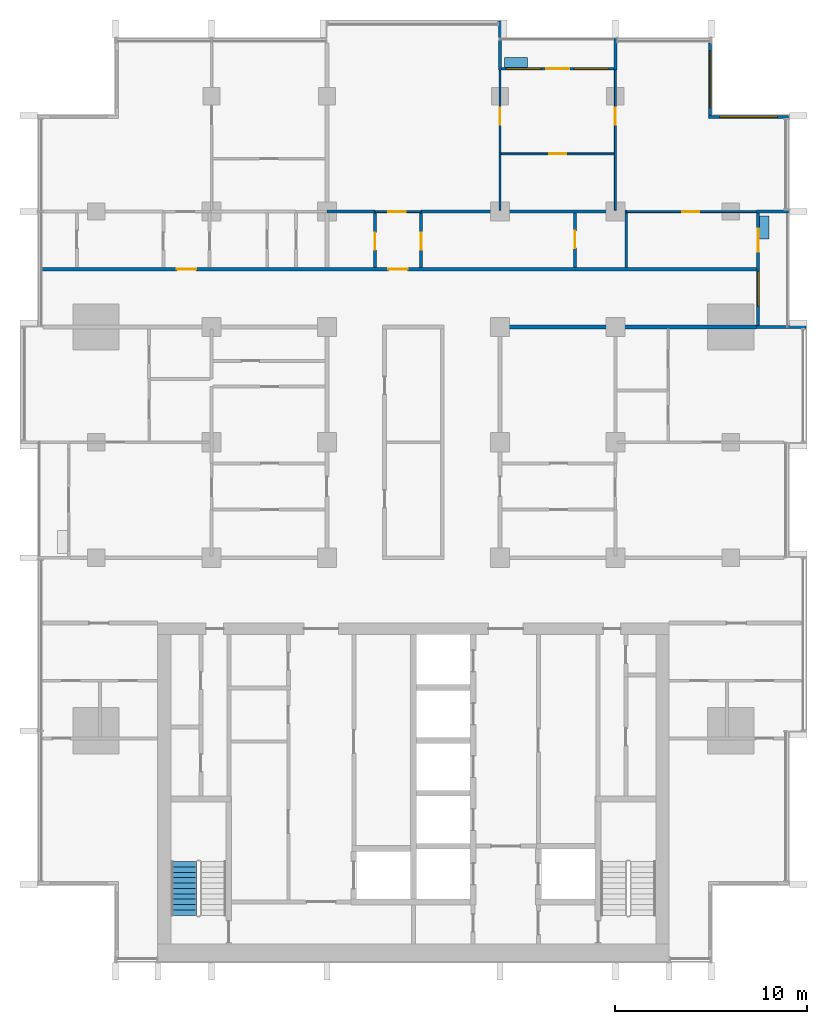
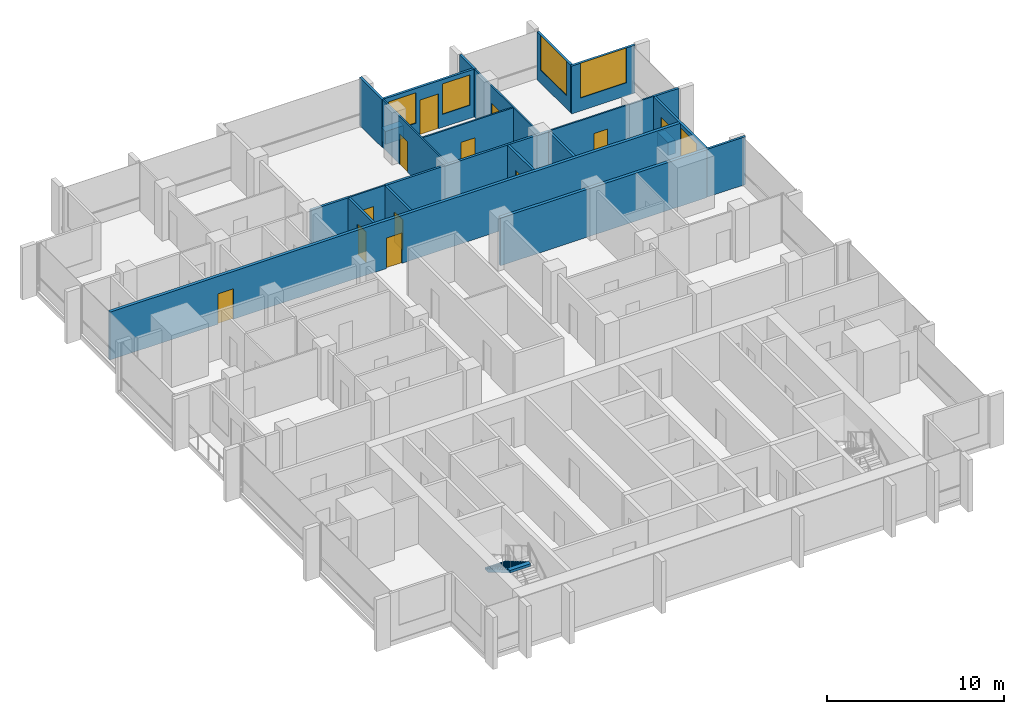
# One storey, part 11 of 17: 23 walls, 12 doors, 5 windows, 1 stair flight, 17 openings, 1 element without a shape of its own.
"""IFC4 building model written with IfcOpenShell, lengths in metres."""

from ifc_helpers import new_model, si_unit, direction, frame, frame_2d, origin, place, context, subcontext, project, spatial, polyline, rectangle, outline, extrude, material, layer, layer_set, type_object, element, fill, aggregate, save


model = new_model("IFC4")

# Units and contexts
model_context = context("Model", 3, precision=1e-05, world=origin(), true_north=direction((0.0, 1.0)))
body_context = subcontext(model_context, "Body", "Model", "MODEL_VIEW")
ifc_project = project(units=[si_unit("LENGTHUNIT", "METRE"), si_unit("AREAUNIT", "SQUARE_METRE"), si_unit("VOLUMEUNIT", "CUBIC_METRE"), si_unit("PLANEANGLEUNIT", "RADIAN"), si_unit("MASSUNIT", "GRAM", prefix="KILO")], contexts=[model_context])

# Site, building, storey
site_placement = place(None, origin())
site = spatial("IfcSite", under=ifc_project, at=site_placement, CompositionType="ELEMENT")
building_placement = place(site_placement, origin())
building = spatial("IfcBuilding", under=site, at=building_placement, Name="Finial Court Residences", CompositionType="ELEMENT")
storey_placement = place(building_placement, frame((0.0, 0.0, 192.5)))
storey = spatial("IfcBuildingStorey", under=building, at=storey_placement, Name="L48", CompositionType="ELEMENT", Elevation=192.5)

# Wall
ifc_material_1 = material(Name="Gypsum board")
ifc_layer_1 = layer(ifc_material_1, 0.02490234375)
ifc_material_2 = material(Name="Acoustic mineral wool in double frame")
ifc_layer_2 = layer(ifc_material_2, 0.14990234375)
ifc_layer_3 = layer(ifc_material_1, 0.02490234375)
ifc_layer_set_1 = layer_set([ifc_layer_1, ifc_layer_2, ifc_layer_3], Name="Corridor wall 200, 1 hour")
wall_type_1 = type_object("IfcWallType", Name="Corridor wall 200, 1 hour", PredefinedType="PARTITIONING", material=ifc_layer_set_1)
wall_1_placement = place(storey_placement, frame((4.39990234375, 7.5, 0.0), z_axis=(0.0, 0.0, 1.0), x_axis=(1.0, 0.0, 0.0)))
element("IfcWall", 1, at=wall_1_placement, inside=storey, type_object=wall_type_1, Name="Partition L48-023", PredefinedType="PARTITIONING", context=body_context, shape_type="SweptSolid", body=[
    extrude(rectangle(XDim=13.4501953125, YDim=0.199951171875, at=frame_2d((6.72509765625, 0.0))), origin(), (0.0, 0.0, 1.0), 3.300048828125),
])

# Wall, openings, doors
wall_2_placement = place(storey_placement, frame((-19.35009765625, 10.5, 0.0), z_axis=(0.0, 0.0, 1.0), x_axis=(1.0, 0.0, 0.0)))
wall_2 = element("IfcWall", 2, at=wall_2_placement, inside=storey, type_object=wall_type_1, Name="Partition L48-024", PredefinedType="PARTITIONING", context=body_context, shape_type="SweptSolid", body=[
    extrude(rectangle(XDim=37.2001953125, YDim=0.199951171875, at=frame_2d((18.60009765625, 0.0))), origin(), (0.0, 0.0, 1.0), 3.300048828125),
])
opening_1_placement = place(wall_2_placement, frame((7.050048828125, 0.0, 0.0)))
opening_1 = element("IfcOpeningElement", 3, at=opening_1_placement, cuts=wall_2, Name="Opening L48-D017", PredefinedType="OPENING", context=body_context, shape_type="SweptSolid", body=[
    extrude(rectangle(XDim=1.0, YDim=2.10009765625, at=frame_2d((0.5, 1.050048828125))), frame((0.0, 0.10986328125, 0.0), z_axis=(0.0, -1.0, 0.0), x_axis=(1.0, 0.0, 0.0)), (0.0, 0.0, 1.0), 0.219970703125),
])
opening_2_placement = place(wall_2_placement, frame((18.050048828125, 0.0, 0.0)))
opening_2 = element("IfcOpeningElement", 4, at=opening_2_placement, cuts=wall_2, Name="Opening L48-D018", PredefinedType="OPENING", context=body_context, shape_type="SweptSolid", body=[
    extrude(rectangle(XDim=1.0, YDim=2.10009765625, at=frame_2d((0.5, 1.050048828125))), frame((0.0, 0.10986328125, 0.0), z_axis=(0.0, -1.0, 0.0), x_axis=(1.0, 0.0, 0.0)), (0.0, 0.0, 1.0), 0.219970703125),
])
ifc_material_3 = material(Name="Timber door leaf in hollow metal frame", Category="wood")
door_type_1 = type_object("IfcDoorType", Name="Fire door set 1000 x 2100, 30 minutes", OperationType="SINGLE_SWING_LEFT", PredefinedType="DOOR", material=ifc_material_3)
door_1_placement = place(opening_1_placement, origin())
door_1 = element("IfcDoor", 5, at=door_1_placement, inside=storey, type_object=door_type_1, Name="Door L48-D017", OperationType="SINGLE_SWING_RIGHT", OverallHeight=2.10009765625, OverallWidth=1.0, PredefinedType="DOOR", context=body_context, shape_type="SweptSolid", body=[
    extrude(rectangle(XDim=1.0, YDim=2.10009765625, at=frame_2d((0.5, 1.050048828125))), frame((0.0, 0.02490234375, 0.0), z_axis=(0.0, -1.0, 0.0), x_axis=(1.0, 0.0, 0.0)), (0.0, 0.0, 1.0), 0.050048828125),
])
fill(opening_1, door_1)
door_2_placement = place(opening_2_placement, origin())
door_2 = element("IfcDoor", 6, at=door_2_placement, inside=storey, type_object=door_type_1, Name="Door L48-D018", OperationType="SINGLE_SWING_RIGHT", OverallHeight=2.10009765625, OverallWidth=1.0, PredefinedType="DOOR", context=body_context, shape_type="SweptSolid", body=[
    extrude(rectangle(XDim=1.0, YDim=2.10009765625, at=frame_2d((0.5, 1.050048828125))), frame((0.0, 0.02490234375, 0.0), z_axis=(0.0, -1.0, 0.0), x_axis=(1.0, 0.0, 0.0)), (0.0, 0.0, 1.0), 0.050048828125),
])
fill(opening_2, door_2)

# Wall, opening, door
ifc_layer_4 = layer(ifc_material_1, 0.012451171875)
ifc_material_4 = material(Name="Mineral wool in light-gauge frame")
ifc_layer_5 = layer(ifc_material_4, 0.074951171875)
ifc_layer_6 = layer(ifc_material_1, 0.012451171875)
ifc_layer_set_2 = layer_set([ifc_layer_4, ifc_layer_5, ifc_layer_6], Name="Gypsum board partition 100")
wall_type_2 = type_object("IfcWallType", Name="Gypsum board partition 100", PredefinedType="PARTITIONING", material=ifc_layer_set_2)
wall_3_placement = place(storey_placement, frame((-2.0, 13.5, 0.0), z_axis=(0.0, 0.0, 1.0), x_axis=(1.0, 0.0, 0.0)))
wall_3 = element("IfcWall", 7, at=wall_3_placement, inside=storey, type_object=wall_type_2, Name="Partition L48-027", PredefinedType="PARTITIONING", context=body_context, shape_type="SweptSolid", body=[
    extrude(rectangle(XDim=2.39990234375, YDim=0.10009765625, at=frame_2d((1.199951171875, 0.0))), origin(), (0.0, 0.0, 1.0), 3.300048828125),
])
opening_3_placement = place(wall_3_placement, frame((0.699951171875, 0.0, 0.0)))
opening_3 = element("IfcOpeningElement", 8, at=opening_3_placement, cuts=wall_3, Name="Opening L48-D020", PredefinedType="OPENING", context=body_context, shape_type="SweptSolid", body=[
    extrude(rectangle(XDim=0.89990234375, YDim=2.10009765625, at=frame_2d((0.449951171875, 1.050048828125))), frame((0.0, 0.06005859375, 0.0), z_axis=(0.0, -1.0, 0.0), x_axis=(1.0, 0.0, 0.0)), (0.0, 0.0, 1.0), 0.1201171875),
])
ifc_material_5 = material(Name="Timber door leaf in timber frame", Category="wood")
door_type_2 = type_object("IfcDoorType", Name="Door set 900 x 2100", OperationType="SINGLE_SWING_LEFT", PredefinedType="DOOR", material=ifc_material_5)
door_3_placement = place(opening_3_placement, origin())
door_3 = element("IfcDoor", 9, at=door_3_placement, inside=storey, type_object=door_type_2, Name="Door L48-D020", OperationType="SINGLE_SWING_LEFT", OverallHeight=2.10009765625, OverallWidth=0.89990234375, PredefinedType="DOOR", context=body_context, shape_type="SweptSolid", body=[
    extrude(rectangle(XDim=0.89990234375, YDim=2.10009765625, at=frame_2d((0.449951171875, 1.050048828125))), frame((0.0, 0.02490234375, 0.0), z_axis=(0.0, -1.0, 0.0), x_axis=(1.0, 0.0, 0.0)), (0.0, 0.0, 1.0), 0.050048828125),
])
fill(opening_3, door_3)

wall_4_placement = place(storey_placement, frame((11.06689453125, 13.5, 0.0), z_axis=(0.0, 0.0, 1.0), x_axis=(1.0, 0.0, 0.0)))
wall_4 = element("IfcWall", 10, at=wall_4_placement, inside=storey, type_object=wall_type_2, Name="Partition L48-028", PredefinedType="PARTITIONING", context=body_context, shape_type="SweptSolid", body=[
    extrude(rectangle(XDim=6.783203125, YDim=0.10009765625, at=frame_2d((3.3916015625, 0.0))), origin(), (0.0, 0.0, 1.0), 3.300048828125),
])
opening_4_placement = place(wall_4_placement, frame((2.89990234375, 0.0, 0.0)))
opening_4 = element("IfcOpeningElement", 11, at=opening_4_placement, cuts=wall_4, Name="Opening L48-D021", PredefinedType="OPENING", context=body_context, shape_type="SweptSolid", body=[
    extrude(rectangle(XDim=0.89990234375, YDim=2.10009765625, at=frame_2d((0.449951171875, 1.050048828125))), frame((0.0, 0.06005859375, 0.0), z_axis=(0.0, -1.0, 0.0), x_axis=(1.0, 0.0, 0.0)), (0.0, 0.0, 1.0), 0.1201171875),
])
door_4_placement = place(opening_4_placement, origin())
door_4 = element("IfcDoor", 12, at=door_4_placement, inside=storey, type_object=door_type_2, Name="Door L48-D021", OperationType="SINGLE_SWING_LEFT", OverallHeight=2.10009765625, OverallWidth=0.89990234375, PredefinedType="DOOR", context=body_context, shape_type="SweptSolid", body=[
    extrude(rectangle(XDim=0.89990234375, YDim=2.10009765625, at=frame_2d((0.449951171875, 1.050048828125))), frame((0.0, 0.02490234375, 0.0), z_axis=(0.0, -1.0, 0.0), x_axis=(1.0, 0.0, 0.0)), (0.0, 0.0, 1.0), 0.050048828125),
])
fill(opening_4, door_4)

wall_5_placement = place(storey_placement, frame((4.550048828125, 16.5, 0.0), z_axis=(0.0, 0.0, 1.0), x_axis=(1.0, 0.0, 0.0)))
wall_5 = element("IfcWall", 13, at=wall_5_placement, inside=storey, type_object=wall_type_2, Name="Partition L48-034", PredefinedType="PARTITIONING", context=body_context, shape_type="SweptSolid", body=[
    extrude(rectangle(XDim=5.89990234375, YDim=0.10009765625, at=frame_2d((2.949951171875, 0.0))), origin(), (0.0, 0.0, 1.0), 3.300048828125),
])
opening_5_placement = place(wall_5_placement, frame((2.5, 0.0, 0.0)))
opening_5 = element("IfcOpeningElement", 14, at=opening_5_placement, cuts=wall_5, Name="Opening L48-D023", PredefinedType="OPENING", context=body_context, shape_type="SweptSolid", body=[
    extrude(rectangle(XDim=0.89990234375, YDim=2.10009765625, at=frame_2d((0.449951171875, 1.050048828125))), frame((0.0, 0.06005859375, 0.0), z_axis=(0.0, -1.0, 0.0), x_axis=(1.0, 0.0, 0.0)), (0.0, 0.0, 1.0), 0.1201171875),
])
door_5_placement = place(opening_5_placement, origin())
door_5 = element("IfcDoor", 15, at=door_5_placement, inside=storey, type_object=door_type_2, Name="Door L48-D023", OperationType="SINGLE_SWING_LEFT", OverallHeight=2.10009765625, OverallWidth=0.89990234375, PredefinedType="DOOR", context=body_context, shape_type="SweptSolid", body=[
    extrude(rectangle(XDim=0.89990234375, YDim=2.10009765625, at=frame_2d((0.449951171875, 1.050048828125))), frame((0.0, 0.02490234375, 0.0), z_axis=(0.0, -1.0, 0.0), x_axis=(1.0, 0.0, 0.0)), (0.0, 0.0, 1.0), 0.050048828125),
])
fill(opening_5, door_5)

wall_6_placement = place(storey_placement, frame((4.5, 13.574951171875, 0.0), z_axis=(0.0, 0.0, 1.0), x_axis=(0.0, 1.0, 0.0)))
wall_6 = element("IfcWall", 16, at=wall_6_placement, inside=storey, type_object=wall_type_2, Name="Partition L48-056", PredefinedType="PARTITIONING", context=body_context, shape_type="SweptSolid", body=[
    extrude(rectangle(XDim=7.275146484375, YDim=0.10009765625, at=frame_2d((3.6376953125, 0.0))), origin(), (0.0, 0.0, 1.0), 3.300048828125),
])
opening_6_placement = place(wall_6_placement, frame((4.425048828125, 0.0, 0.0)))
opening_6 = element("IfcOpeningElement", 17, at=opening_6_placement, cuts=wall_6, Name="Opening L48-D039", PredefinedType="OPENING", context=body_context, shape_type="SweptSolid", body=[
    extrude(rectangle(XDim=0.89990234375, YDim=2.10009765625, at=frame_2d((0.449951171875, 1.050048828125))), frame((0.0, 0.06005859375, 0.0), z_axis=(0.0, -1.0, 0.0), x_axis=(1.0, 0.0, 0.0)), (0.0, 0.0, 1.0), 0.1201171875),
])
door_6_placement = place(opening_6_placement, origin())
door_6 = element("IfcDoor", 18, at=door_6_placement, inside=storey, type_object=door_type_2, Name="Door L48-D039", OperationType="SINGLE_SWING_RIGHT", OverallHeight=2.10009765625, OverallWidth=0.89990234375, PredefinedType="DOOR", context=body_context, shape_type="SweptSolid", body=[
    extrude(rectangle(XDim=0.89990234375, YDim=2.10009765625, at=frame_2d((0.449951171875, 1.050048828125))), frame((0.0, 0.02490234375, 0.0), z_axis=(0.0, -1.0, 0.0), x_axis=(1.0, 0.0, 0.0)), (0.0, 0.0, 1.0), 0.050048828125),
])
fill(opening_6, door_6)

wall_7_placement = place(storey_placement, frame((10.5, 13.574951171875, 0.0), z_axis=(0.0, 0.0, 1.0), x_axis=(0.0, 1.0, 0.0)))
wall_7 = element("IfcWall", 19, at=wall_7_placement, inside=storey, type_object=wall_type_2, Name="Partition L48-059", PredefinedType="PARTITIONING", context=body_context, shape_type="SweptSolid", body=[
    extrude(rectangle(XDim=7.275146484375, YDim=0.10009765625, at=frame_2d((3.6376953125, 0.0))), origin(), (0.0, 0.0, 1.0), 3.300048828125),
])
opening_7_placement = place(wall_7_placement, frame((4.425048828125, 0.0, 0.0)))
opening_7 = element("IfcOpeningElement", 20, at=opening_7_placement, cuts=wall_7, Name="Opening L48-D042", PredefinedType="OPENING", context=body_context, shape_type="SweptSolid", body=[
    extrude(rectangle(XDim=0.89990234375, YDim=2.10009765625, at=frame_2d((0.449951171875, 1.050048828125))), frame((0.0, 0.06005859375, 0.0), z_axis=(0.0, -1.0, 0.0), x_axis=(1.0, 0.0, 0.0)), (0.0, 0.0, 1.0), 0.1201171875),
])
door_7_placement = place(opening_7_placement, origin())
door_7 = element("IfcDoor", 21, at=door_7_placement, inside=storey, type_object=door_type_2, Name="Door L48-D042", OperationType="SINGLE_SWING_RIGHT", OverallHeight=2.10009765625, OverallWidth=0.89990234375, PredefinedType="DOOR", context=body_context, shape_type="SweptSolid", body=[
    extrude(rectangle(XDim=0.89990234375, YDim=2.10009765625, at=frame_2d((0.449951171875, 1.050048828125))), frame((0.0, 0.02490234375, 0.0), z_axis=(0.0, -1.0, 0.0), x_axis=(1.0, 0.0, 0.0)), (0.0, 0.0, 1.0), 0.050048828125),
])
fill(opening_7, door_7)

# Walls
ifc_material_6 = material(Name="Moisture-resistant gypsum board")
ifc_layer_7 = layer(ifc_material_6, 0.012451171875)
ifc_layer_8 = layer(ifc_material_4, 0.125)
ifc_layer_9 = layer(ifc_material_6, 0.012451171875)
ifc_layer_set_3 = layer_set([ifc_layer_7, ifc_layer_8, ifc_layer_9], Name="Gypsum board wet-area partition 150")
wall_type_3 = type_object("IfcWallType", Name="Gypsum board wet-area partition 150", PredefinedType="PARTITIONING", material=ifc_layer_set_3)
wall_8_placement = place(storey_placement, frame((-4.5, 13.5, 0.0), z_axis=(0.0, 0.0, 1.0), x_axis=(1.0, 0.0, 0.0)))
element("IfcWall", 22, at=wall_8_placement, inside=storey, type_object=wall_type_3, Name="Partition L48-031", PredefinedType="PARTITIONING", context=body_context, shape_type="SweptSolid", body=[
    extrude(rectangle(XDim=2.5, YDim=0.14990234375, at=frame_2d((1.25, 0.0))), origin(), (0.0, 0.0, 1.0), 3.300048828125),
])
wall_9_placement = place(storey_placement, frame((0.39990234375, 13.5, 0.0), z_axis=(0.0, 0.0, 1.0), x_axis=(1.0, 0.0, 0.0)))
element("IfcWall", 23, at=wall_9_placement, inside=storey, type_object=wall_type_3, Name="Partition L48-032", PredefinedType="PARTITIONING", context=body_context, shape_type="SweptSolid", body=[
    extrude(rectangle(XDim=10.6669921875, YDim=0.14990234375, at=frame_2d((5.33349609375, 0.0))), origin(), (0.0, 0.0, 1.0), 3.300048828125),
])

# Wall, opening, door
wall_10_placement = place(storey_placement, frame((-2.0, 10.60009765625, 0.0), z_axis=(0.0, 0.0, 1.0), x_axis=(0.0, 1.0, 0.0)))
wall_10 = element("IfcWall", 24, at=wall_10_placement, inside=storey, type_object=wall_type_3, Name="Partition L48-051", PredefinedType="PARTITIONING", context=body_context, shape_type="SweptSolid", body=[
    extrude(rectangle(XDim=2.824951171875, YDim=0.14990234375, at=frame_2d((1.41259765625, 0.0))), origin(), (0.0, 0.0, 1.0), 3.300048828125),
])
opening_8_placement = place(wall_10_placement, frame((0.89990234375, 0.0, 0.0)))
opening_8 = element("IfcOpeningElement", 25, at=opening_8_placement, cuts=wall_10, Name="Opening L48-D034", PredefinedType="OPENING", context=body_context, shape_type="SweptSolid", body=[
    extrude(rectangle(XDim=0.89990234375, YDim=2.10009765625, at=frame_2d((0.449951171875, 1.050048828125))), frame((0.0, 0.0849609375, 0.0), z_axis=(0.0, -1.0, 0.0), x_axis=(1.0, 0.0, 0.0)), (0.0, 0.0, 1.0), 0.169921875),
])
door_8_placement = place(opening_8_placement, origin())
door_8 = element("IfcDoor", 26, at=door_8_placement, inside=storey, type_object=door_type_2, Name="Door L48-D034", OperationType="SINGLE_SWING_RIGHT", OverallHeight=2.10009765625, OverallWidth=0.89990234375, PredefinedType="DOOR", context=body_context, shape_type="SweptSolid", body=[
    extrude(rectangle(XDim=0.89990234375, YDim=2.10009765625, at=frame_2d((0.449951171875, 1.050048828125))), frame((0.0, 0.02490234375, 0.0), z_axis=(0.0, -1.0, 0.0), x_axis=(1.0, 0.0, 0.0)), (0.0, 0.0, 1.0), 0.050048828125),
])
fill(opening_8, door_8)

wall_11_placement = place(storey_placement, frame((0.39990234375, 10.60009765625, 0.0), z_axis=(0.0, 0.0, 1.0), x_axis=(0.0, 1.0, 0.0)))
wall_11 = element("IfcWall", 27, at=wall_11_placement, inside=storey, type_object=wall_type_3, Name="Partition L48-053", PredefinedType="PARTITIONING", context=body_context, shape_type="SweptSolid", body=[
    extrude(rectangle(XDim=2.824951171875, YDim=0.14990234375, at=frame_2d((1.41259765625, 0.0))), origin(), (0.0, 0.0, 1.0), 3.300048828125),
])
opening_9_placement = place(wall_11_placement, frame((0.89990234375, 0.0, 0.0)))
opening_9 = element("IfcOpeningElement", 28, at=opening_9_placement, cuts=wall_11, Name="Opening L48-D037", PredefinedType="OPENING", context=body_context, shape_type="SweptSolid", body=[
    extrude(rectangle(XDim=0.89990234375, YDim=2.10009765625, at=frame_2d((0.449951171875, 1.050048828125))), frame((0.0, 0.0849609375, 0.0), z_axis=(0.0, -1.0, 0.0), x_axis=(1.0, 0.0, 0.0)), (0.0, 0.0, 1.0), 0.169921875),
])
door_9_placement = place(opening_9_placement, origin())
door_9 = element("IfcDoor", 29, at=door_9_placement, inside=storey, type_object=door_type_2, Name="Door L48-D037", OperationType="SINGLE_SWING_LEFT", OverallHeight=2.10009765625, OverallWidth=0.89990234375, PredefinedType="DOOR", context=body_context, shape_type="SweptSolid", body=[
    extrude(rectangle(XDim=0.89990234375, YDim=2.10009765625, at=frame_2d((0.449951171875, 1.050048828125))), frame((0.0, 0.02490234375, 0.0), z_axis=(0.0, -1.0, 0.0), x_axis=(1.0, 0.0, 0.0)), (0.0, 0.0, 1.0), 0.050048828125),
])
fill(opening_9, door_9)

wall_12_placement = place(storey_placement, frame((8.39990234375, 10.60009765625, 0.0), z_axis=(0.0, 0.0, 1.0), x_axis=(0.0, 1.0, 0.0)))
wall_12 = element("IfcWall", 30, at=wall_12_placement, inside=storey, type_object=wall_type_3, Name="Partition L48-057", PredefinedType="PARTITIONING", context=body_context, shape_type="SweptSolid", body=[
    extrude(rectangle(XDim=2.824951171875, YDim=0.14990234375, at=frame_2d((1.41259765625, 0.0))), origin(), (0.0, 0.0, 1.0), 3.300048828125),
])
opening_10_placement = place(wall_12_placement, frame((1.0, 0.0, 0.0)))
opening_10 = element("IfcOpeningElement", 31, at=opening_10_placement, cuts=wall_12, Name="Opening L48-D040", PredefinedType="OPENING", context=body_context, shape_type="SweptSolid", body=[
    extrude(rectangle(XDim=0.89990234375, YDim=2.10009765625, at=frame_2d((0.449951171875, 1.050048828125))), frame((0.0, 0.0849609375, 0.0), z_axis=(0.0, -1.0, 0.0), x_axis=(1.0, 0.0, 0.0)), (0.0, 0.0, 1.0), 0.169921875),
])
door_10_placement = place(opening_10_placement, origin())
door_10 = element("IfcDoor", 32, at=door_10_placement, inside=storey, type_object=door_type_2, Name="Door L48-D040", OperationType="SINGLE_SWING_RIGHT", OverallHeight=2.10009765625, OverallWidth=0.89990234375, PredefinedType="DOOR", context=body_context, shape_type="SweptSolid", body=[
    extrude(rectangle(XDim=0.89990234375, YDim=2.10009765625, at=frame_2d((0.449951171875, 1.050048828125))), frame((0.0, 0.02490234375, 0.0), z_axis=(0.0, -1.0, 0.0), x_axis=(1.0, 0.0, 0.0)), (0.0, 0.0, 1.0), 0.050048828125),
])
fill(opening_10, door_10)

# Wall
wall_13_placement = place(storey_placement, frame((11.06689453125, 10.60009765625, 0.0), z_axis=(0.0, 0.0, 1.0), x_axis=(0.0, 1.0, 0.0)))
element("IfcWall", 33, at=wall_13_placement, inside=storey, type_object=wall_type_3, Name="Partition L48-062", PredefinedType="PARTITIONING", context=body_context, shape_type="SweptSolid", body=[
    extrude(rectangle(XDim=2.824951171875, YDim=0.14990234375, at=frame_2d((1.41259765625, 0.0))), origin(), (0.0, 0.0, 1.0), 3.300048828125),
])

# Wall, opening, window
ifc_material_7 = material(Name="Natural limestone", Category="masonry")
ifc_layer_10 = layer(ifc_material_7, 0.14990234375)
ifc_layer_set_4 = layer_set([ifc_layer_10], Name="Limestone clad wall 150")
wall_type_4 = type_object("IfcWallType", Name="Limestone clad wall 150", PredefinedType="SOLIDWALL", material=ifc_layer_set_4)
wall_14_placement = place(storey_placement, frame((15.425048828125, 22.262451171875, 0.0), z_axis=(0.0, 0.0, 1.0), x_axis=(0.0, -1.0, 0.0)))
wall_14 = element("IfcWall", 34, at=wall_14_placement, inside=storey, type_object=wall_type_4, Name="E-L48-NWE20", PredefinedType="SOLIDWALL", context=body_context, shape_type="SweptSolid", body=[
    extrude(rectangle(XDim=3.762451171875, YDim=0.14990234375, at=frame_2d((1.88134765625, 0.0))), origin(), (0.0, 0.0, 1.0), 3.300048828125),
])
opening_11_placement = place(wall_14_placement, frame((0.401123046875, 0.0, 0.89990234375)))
opening_11 = element("IfcOpeningElement", 35, at=opening_11_placement, cuts=wall_14, Name="Opening WE48-07", PredefinedType="OPENING", context=body_context, shape_type="SweptSolid", body=[
    extrude(rectangle(XDim=2.9599609375, YDim=2.39990234375, at=frame_2d((1.47998046875, 1.199951171875))), frame((0.0, 0.0849609375, 0.0), z_axis=(0.0, -1.0, 0.0), x_axis=(1.0, 0.0, 0.0)), (0.0, 0.0, 1.0), 0.169921875),
])
ifc_material_8 = material(Name="Clear low-e glass", Category="glass")
window_type_1 = type_object("IfcWindowType", Name="Corner window 2960 x 2400", PartitioningType="SINGLE_PANEL", PredefinedType="WINDOW", material=ifc_material_8)
window_1_placement = place(opening_11_placement, origin())
window_1 = element("IfcWindow", 36, at=window_1_placement, inside=storey, type_object=window_type_1, Name="E-L48-NWE20-W1", OverallHeight=2.39990234375, OverallWidth=2.9599609375, PartitioningType="SINGLE_PANEL", PredefinedType="WINDOW", context=body_context, shape_type="SweptSolid", body=[
    extrude(rectangle(XDim=2.9599609375, YDim=2.39990234375, at=frame_2d((1.47998046875, 1.199951171875))), frame((0.0, 0.030029296875, 0.0), z_axis=(0.0, -1.0, 0.0), x_axis=(1.0, 0.0, 0.0)), (0.0, 0.0, 1.0), 0.06005859375),
])
fill(opening_11, window_1)

wall_15_placement = place(storey_placement, frame((15.35009765625, 18.425048828125, 0.0), z_axis=(0.0, 0.0, 1.0), x_axis=(1.0, 0.0, 0.0)))
wall_15 = element("IfcWall", 37, at=wall_15_placement, inside=storey, type_object=wall_type_4, Name="E-L48-NWN21", PredefinedType="SOLIDWALL", context=body_context, shape_type="SweptSolid", body=[
    extrude(rectangle(XDim=4.14990234375, YDim=0.14990234375, at=frame_2d((2.074951171875, 0.0))), origin(), (0.0, 0.0, 1.0), 3.300048828125),
])
opening_12_placement = place(wall_15_placement, frame((0.574951171875, 0.0, 0.89990234375)))
opening_12 = element("IfcOpeningElement", 38, at=opening_12_placement, cuts=wall_15, Name="Opening WE48-08", PredefinedType="OPENING", context=body_context, shape_type="SweptSolid", body=[
    extrude(rectangle(XDim=3.0, YDim=2.39990234375, at=frame_2d((1.5, 1.199951171875))), frame((0.0, 0.0849609375, 0.0), z_axis=(0.0, -1.0, 0.0), x_axis=(1.0, 0.0, 0.0)), (0.0, 0.0, 1.0), 0.169921875),
])
window_type_2 = type_object("IfcWindowType", Name="Corner window 3000 x 2400", PartitioningType="SINGLE_PANEL", PredefinedType="WINDOW", material=ifc_material_8)
window_2_placement = place(opening_12_placement, origin())
window_2 = element("IfcWindow", 39, at=window_2_placement, inside=storey, type_object=window_type_2, Name="E-L48-NWN21-W1", OverallHeight=2.39990234375, OverallWidth=3.0, PartitioningType="SINGLE_PANEL", PredefinedType="WINDOW", context=body_context, shape_type="SweptSolid", body=[
    extrude(rectangle(XDim=3.0, YDim=2.39990234375, at=frame_2d((1.5, 1.199951171875))), frame((0.0, 0.030029296875, 0.0), z_axis=(0.0, -1.0, 0.0), x_axis=(1.0, 0.0, 0.0)), (0.0, 0.0, 1.0), 0.06005859375),
])
fill(opening_12, window_2)

# Walls
wall_16_placement = place(storey_placement, frame((4.5, 20.85009765625, 0.0), z_axis=(0.0, 0.0, 1.0), x_axis=(0.0, 1.0, 0.0)))
element("IfcWall", 40, at=wall_16_placement, inside=storey, type_object=wall_type_4, Name="E-L48-BALN4-P1", PredefinedType="SOLIDWALL", context=body_context, shape_type="SweptSolid", body=[
    extrude(rectangle(XDim=2.5498046875, YDim=0.14990234375, at=frame_2d((1.27490234375, 0.0))), origin(), (0.0, 0.0, 1.0), 3.300048828125),
])
wall_17_placement = place(storey_placement, frame((10.5, 20.85009765625, 0.0), z_axis=(0.0, 0.0, 1.0), x_axis=(0.0, 1.0, 0.0)))
element("IfcWall", 41, at=wall_17_placement, inside=storey, type_object=wall_type_4, Name="E-L48-BALN4-P2", PredefinedType="SOLIDWALL", context=body_context, shape_type="SweptSolid", body=[
    extrude(rectangle(XDim=1.64990234375, YDim=0.14990234375, at=frame_2d((0.824951171875, 0.0))), origin(), (0.0, 0.0, 1.0), 3.300048828125),
])

# Wall, openings, door, windows
wall_18_placement = place(storey_placement, frame((4.574951171875, 20.925048828125, 0.0), z_axis=(0.0, 0.0, 1.0), x_axis=(1.0, 0.0, 0.0)))
wall_18 = element("IfcWall", 42, at=wall_18_placement, inside=storey, type_object=wall_type_4, Name="E-L48-L48-BALN4-W", PredefinedType="SOLIDWALL", context=body_context, shape_type="SweptSolid", body=[
    extrude(rectangle(XDim=5.85009765625, YDim=0.14990234375, at=frame_2d((2.925048828125, 0.0))), origin(), (0.0, 0.0, 1.0), 3.300048828125),
])
opening_13_placement = place(wall_18_placement, frame((2.324951171875, 0.0, 0.0)))
opening_13 = element("IfcOpeningElement", 43, at=opening_13_placement, cuts=wall_18, Name="Opening DE48-01", PredefinedType="OPENING", context=body_context, shape_type="SweptSolid", body=[
    extrude(rectangle(XDim=1.199951171875, YDim=2.39990234375, at=frame_2d((0.60009765625, 1.199951171875))), frame((0.0, 0.0849609375, 0.0), z_axis=(0.0, -1.0, 0.0), x_axis=(1.0, 0.0, 0.0)), (0.0, 0.0, 1.0), 0.169921875),
])
opening_14_placement = place(wall_18_placement, frame((0.262451171875, 0.0, 0.89990234375)))
opening_14 = element("IfcOpeningElement", 44, at=opening_14_placement, cuts=wall_18, Name="Opening WE48-09", PredefinedType="OPENING", context=body_context, shape_type="SweptSolid", body=[
    extrude(rectangle(XDim=1.800048828125, YDim=2.10009765625, at=frame_2d((0.89990234375, 1.050048828125))), frame((0.0, 0.0849609375, 0.0), z_axis=(0.0, -1.0, 0.0), x_axis=(1.0, 0.0, 0.0)), (0.0, 0.0, 1.0), 0.169921875),
])
opening_15_placement = place(wall_18_placement, frame((3.78759765625, 0.0, 0.89990234375)))
opening_15 = element("IfcOpeningElement", 45, at=opening_15_placement, cuts=wall_18, Name="Opening WE48-10", PredefinedType="OPENING", context=body_context, shape_type="SweptSolid", body=[
    extrude(rectangle(XDim=1.800048828125, YDim=2.10009765625, at=frame_2d((0.89990234375, 1.050048828125))), frame((0.0, 0.0849609375, 0.0), z_axis=(0.0, -1.0, 0.0), x_axis=(1.0, 0.0, 0.0)), (0.0, 0.0, 1.0), 0.169921875),
])
ifc_material_9 = material(Name="Bronze anodised aluminium", Category="aluminium")
door_type_3 = type_object("IfcDoorType", Name="Balcony door 1200 x 2400", OperationType="SINGLE_SWING_LEFT", PredefinedType="DOOR", material=ifc_material_9)
door_11_placement = place(opening_13_placement, origin())
door_11 = element("IfcDoor", 46, at=door_11_placement, inside=storey, type_object=door_type_3, Name="E-L48-L48-BALN4-W-D", OperationType="SINGLE_SWING_LEFT", OverallHeight=2.39990234375, OverallWidth=1.199951171875, PredefinedType="DOOR", context=body_context, shape_type="SweptSolid", body=[
    extrude(rectangle(XDim=1.199951171875, YDim=2.39990234375, at=frame_2d((0.60009765625, 1.199951171875))), frame((0.0, 0.02490234375, 0.0), z_axis=(0.0, -1.0, 0.0), x_axis=(1.0, 0.0, 0.0)), (0.0, 0.0, 1.0), 0.050048828125),
])
fill(opening_13, door_11)
window_type_3 = type_object("IfcWindowType", Name="Balcony window 1800 x 2100", PartitioningType="SINGLE_PANEL", PredefinedType="WINDOW", material=ifc_material_8)
window_3_placement = place(opening_14_placement, origin())
window_3 = element("IfcWindow", 47, at=window_3_placement, inside=storey, type_object=window_type_3, Name="E-L48-L48-BALN4-W-W1", OverallHeight=2.10009765625, OverallWidth=1.800048828125, PartitioningType="SINGLE_PANEL", PredefinedType="WINDOW", context=body_context, shape_type="SweptSolid", body=[
    extrude(rectangle(XDim=1.800048828125, YDim=2.10009765625, at=frame_2d((0.89990234375, 1.050048828125))), frame((0.0, 0.030029296875, 0.0), z_axis=(0.0, -1.0, 0.0), x_axis=(1.0, 0.0, 0.0)), (0.0, 0.0, 1.0), 0.06005859375),
])
fill(opening_14, window_3)
window_4_placement = place(opening_15_placement, origin())
window_4 = element("IfcWindow", 48, at=window_4_placement, inside=storey, type_object=window_type_3, Name="E-L48-L48-BALN4-W-W2", OverallHeight=2.10009765625, OverallWidth=1.800048828125, PartitioningType="SINGLE_PANEL", PredefinedType="WINDOW", context=body_context, shape_type="SweptSolid", body=[
    extrude(rectangle(XDim=1.800048828125, YDim=2.10009765625, at=frame_2d((0.89990234375, 1.050048828125))), frame((0.0, 0.030029296875, 0.0), z_axis=(0.0, -1.0, 0.0), x_axis=(1.0, 0.0, 0.0)), (0.0, 0.0, 1.0), 0.06005859375),
])
fill(opening_15, window_4)

# Walls
wall_19_placement = place(storey_placement, frame((17.85009765625, 7.5, 0.0), z_axis=(0.0, 0.0, 1.0), x_axis=(1.0, 0.0, 0.0)))
element("IfcWall", 49, at=wall_19_placement, inside=storey, type_object=wall_type_4, Name="E-L48-BALE5-P1", PredefinedType="SOLIDWALL", context=body_context, shape_type="SweptSolid", body=[
    extrude(rectangle(XDim=2.5498046875, YDim=0.14990234375, at=frame_2d((1.27490234375, 0.0))), origin(), (0.0, 0.0, 1.0), 3.300048828125),
])
wall_20_placement = place(storey_placement, frame((17.85009765625, 13.5, 0.0), z_axis=(0.0, 0.0, 1.0), x_axis=(1.0, 0.0, 0.0)))
element("IfcWall", 50, at=wall_20_placement, inside=storey, type_object=wall_type_4, Name="E-L48-BALE5-P2", PredefinedType="SOLIDWALL", context=body_context, shape_type="SweptSolid", body=[
    extrude(rectangle(XDim=1.64990234375, YDim=0.14990234375, at=frame_2d((0.824951171875, 0.0))), origin(), (0.0, 0.0, 1.0), 3.300048828125),
])

# Wall, openings, door, window
wall_21_placement = place(storey_placement, frame((17.925048828125, 13.425048828125, 0.0), z_axis=(0.0, 0.0, 1.0), x_axis=(0.0, -1.0, 0.0)))
wall_21 = element("IfcWall", 51, at=wall_21_placement, inside=storey, type_object=wall_type_4, Name="E-L48-L48-BALE5-W", PredefinedType="SOLIDWALL", context=body_context, shape_type="SweptSolid", body=[
    extrude(rectangle(XDim=5.85009765625, YDim=0.14990234375, at=frame_2d((2.925048828125, 0.0))), origin(), (0.0, 0.0, 1.0), 3.300048828125),
])
opening_16_placement = place(wall_21_placement, frame((0.824951171875, 0.0, 0.0)))
opening_16 = element("IfcOpeningElement", 52, at=opening_16_placement, cuts=wall_21, Name="Opening DE48-02", PredefinedType="OPENING", context=body_context, shape_type="SweptSolid", body=[
    extrude(rectangle(XDim=1.199951171875, YDim=2.39990234375, at=frame_2d((0.60009765625, 1.199951171875))), frame((0.0, 0.0849609375, 0.0), z_axis=(0.0, -1.0, 0.0), x_axis=(1.0, 0.0, 0.0)), (0.0, 0.0, 1.0), 0.169921875),
])
opening_17_placement = place(wall_21_placement, frame((3.03759765625, 0.0, 0.89990234375)))
opening_17 = element("IfcOpeningElement", 53, at=opening_17_placement, cuts=wall_21, Name="Opening WE48-11", PredefinedType="OPENING", context=body_context, shape_type="SweptSolid", body=[
    extrude(rectangle(XDim=1.800048828125, YDim=2.10009765625, at=frame_2d((0.89990234375, 1.050048828125))), frame((0.0, 0.0849609375, 0.0), z_axis=(0.0, -1.0, 0.0), x_axis=(1.0, 0.0, 0.0)), (0.0, 0.0, 1.0), 0.169921875),
])
door_12_placement = place(opening_16_placement, origin())
door_12 = element("IfcDoor", 54, at=door_12_placement, inside=storey, type_object=door_type_3, Name="E-L48-L48-BALE5-W-D", OperationType="SINGLE_SWING_RIGHT", OverallHeight=2.39990234375, OverallWidth=1.199951171875, PredefinedType="DOOR", context=body_context, shape_type="SweptSolid", body=[
    extrude(rectangle(XDim=1.199951171875, YDim=2.39990234375, at=frame_2d((0.60009765625, 1.199951171875))), frame((0.0, 0.02490234375, 0.0), z_axis=(0.0, -1.0, 0.0), x_axis=(1.0, 0.0, 0.0)), (0.0, 0.0, 1.0), 0.050048828125),
])
fill(opening_16, door_12)
window_5_placement = place(opening_17_placement, origin())
window_5 = element("IfcWindow", 55, at=window_5_placement, inside=storey, type_object=window_type_3, Name="E-L48-L48-BALE5-W-W1", OverallHeight=2.10009765625, OverallWidth=1.800048828125, PartitioningType="SINGLE_PANEL", PredefinedType="WINDOW", context=body_context, shape_type="SweptSolid", body=[
    extrude(rectangle(XDim=1.800048828125, YDim=2.10009765625, at=frame_2d((0.89990234375, 1.050048828125))), frame((0.0, 0.030029296875, 0.0), z_axis=(0.0, -1.0, 0.0), x_axis=(1.0, 0.0, 0.0)), (0.0, 0.0, 1.0), 0.06005859375),
])
fill(opening_17, window_5)

# Walls
ifc_material_10 = material(Name="Concrete C40/50", Category="concrete")
ifc_layer_11 = layer(ifc_material_10, 0.10009765625)
ifc_material_11 = material(Name="Planting soil", Category="soil")
ifc_layer_12 = layer(ifc_material_11, 0.300048828125)
ifc_layer_13 = layer(ifc_material_10, 0.10009765625)
ifc_layer_set_5 = layer_set([ifc_layer_11, ifc_layer_12, ifc_layer_13], Name="Planter wall, balcony")
wall_type_5 = type_object("IfcWallType", Name="Planter wall, balcony", PredefinedType="USERDEFINED", material=ifc_layer_set_5)
for number, where, z_axis, x_axis, name in (
    (56, (4.72509765625, 21.25, 0.0), (0.0, 0.0, 1.0), (1.0, 0.0, 0.0), "E-L48-BALN4-PL"),
    (57, (18.25, 12.074951171875, 0.0), (0.0, 0.0, 1.0), (0.0, 1.0, 0.0), "E-L48-BALE5-PL"),
):
    element("IfcWall", number, at=place(storey_placement, frame(where, z_axis=z_axis, x_axis=x_axis)), inside=storey, type_object=wall_type_5, Name=name, ObjectType="PLANTER", PredefinedType="USERDEFINED", context=body_context, shape_type="SweptSolid", body=[
        extrude(rectangle(XDim=1.199951171875, YDim=0.5, at=frame_2d((0.60009765625, 0.0))), origin(), (0.0, 0.0, 1.0), 0.89990234375),
    ])

# Stair, stair flight
ifc_material_12 = material(Name="Concrete C50/60", Category="concrete")
stair_type = type_object("IfcStairType", Name="Exit stair 22 risers of 163.6 mm", PredefinedType="HALF_TURN_STAIR", material=ifc_material_12)
stair_placement = place(storey_placement, origin())
stair = element("IfcStair", 58, at=stair_placement, inside=storey, type_object=stair_type, Name="L48 Exit stair ST-1", PredefinedType="HALF_TURN_STAIR")
stair_flight_type = type_object("IfcStairFlightType", Name="Exit stair flight", PredefinedType="STRAIGHT", material=ifc_material_12)
stair_flight_placement = place(storey_placement, frame((-11.925048828125, -20.300048828125, 1.800048828125), z_axis=(0.0, 0.0, 1.0), x_axis=(0.0, -1.0, 0.0)))
stair_flight = element("IfcStairFlight", 59, at=stair_flight_placement, type_object=stair_flight_type, Name="ST-1 flight 2", NumberOfRisers=11, NumberOfTreads=10, PredefinedType="STRAIGHT", RiserHeight=0.163636364, TreadLength=0.28, context=body_context, shape_type="SweptSolid", body=[
    extrude(outline(polyline([(0.0, 0.0), (0.0, 0.16357421875), (0.280029296875, 0.16357421875), (0.280029296875, 0.327392578125), (0.56005859375, 0.327392578125), (0.56005859375, 0.490966796875), (0.840087890625, 0.490966796875), (0.840087890625, 0.654541015625), (1.1201171875, 0.654541015625), (1.1201171875, 0.818115234375), (1.39990234375, 0.818115234375), (1.39990234375, 0.98193359375), (1.679931640625, 0.98193359375), (1.679931640625, 1.1455078125), (1.9599609375, 1.1455078125), (1.9599609375, 1.30908203125), (2.239990234375, 1.30908203125), (2.239990234375, 1.47265625), (2.52001953125, 1.47265625), (2.52001953125, 1.636474609375), (2.800048828125, 1.636474609375), (2.800048828125, 1.800048828125), (2.800048828125, 1.462646484375), (0.297119140625, 0.0), (0.0, 0.0)])), frame((0.0, 0.675048828125, 0.0), z_axis=(0.0, -1.0, 0.0), x_axis=(1.0, 0.0, 0.0)), (0.0, 0.0, 1.0), 1.35009765625),
])
aggregate(stair, [stair_flight])

save(model, "model.ifc")
